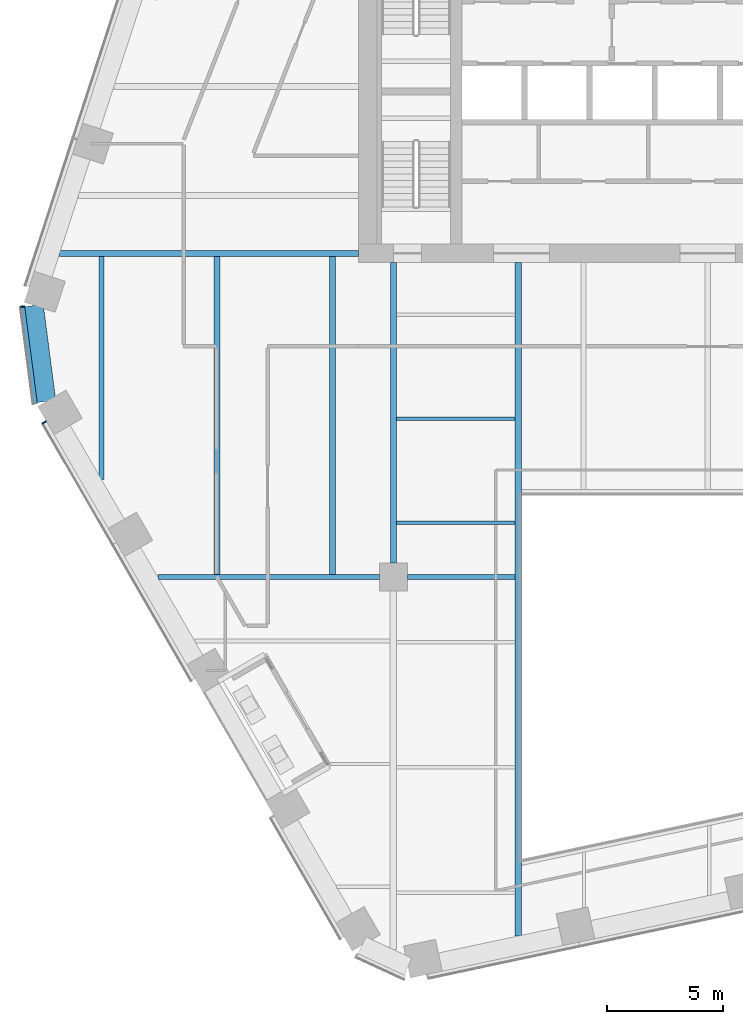
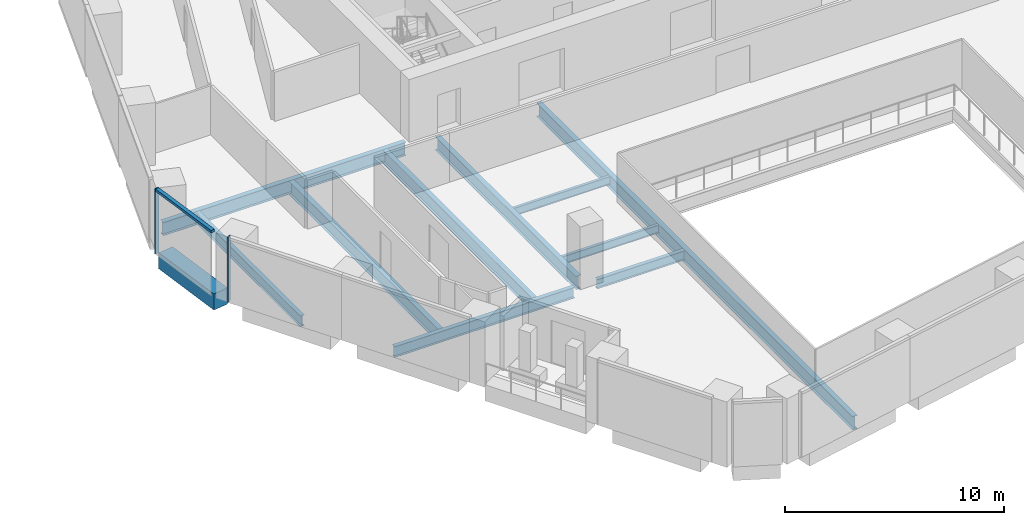
# One storey, part 4 of 26: 11 beams, 3 members, 2 elements without a shape of their own.
"""IFC4 building model written with IfcOpenShell, lengths in metres."""

from ifc_helpers import new_model, si_unit, direction, frame, origin, origin_2d, place, context, subcontext, project, spatial, rectangle, i_section, extrude, material, layer, layer_set, material_profile, profile_set, type_object, element, aggregate, save


model = new_model("IFC4")

# Units and contexts
model_context = context("Model", 3, precision=1e-05, world=origin(), true_north=direction((0.0, 1.0)))
body_context = subcontext(model_context, "Body", "Model", "MODEL_VIEW")
ifc_project = project(units=[si_unit("LENGTHUNIT", "METRE"), si_unit("AREAUNIT", "SQUARE_METRE"), si_unit("VOLUMEUNIT", "CUBIC_METRE"), si_unit("PLANEANGLEUNIT", "RADIAN"), si_unit("MASSUNIT", "GRAM", prefix="KILO")], contexts=[model_context])

# Site, building, storey
site_placement = place(None, origin())
site = spatial("IfcSite", under=ifc_project, at=site_placement, CompositionType="ELEMENT")
building_placement = place(site_placement, origin())
building = spatial("IfcBuilding", under=site, at=building_placement, Name="Isthmus Gate Tower", CompositionType="ELEMENT")
storey_placement = place(building_placement, frame((0.0, 0.0, 129.800048828125)))
storey = spatial("IfcBuildingStorey", under=building, at=storey_placement, Name="L31", CompositionType="ELEMENT", Elevation=129.800048828125)

# Curtain wall, member
ifc_material_1 = material(Name="Aluminium, pale champagne anodised", Category="aluminium")
ifc_layer = layer(ifc_material_1, 0.199951171875)
ifc_layer_set = layer_set([ifc_layer], Name="CW-1 UNITISED CURTAIN WALL 200 DEEP")
curtain_wall_type = type_object("IfcCurtainWallType", Name="CW-1 UNITISED CURTAIN WALL 200 DEEP", PredefinedType="NOTDEFINED", material=ifc_layer_set)
curtain_wall_1_placement = place(storey_placement, origin())
curtain_wall_1 = element("IfcCurtainWall", 1, at=curtain_wall_1_placement, inside=storey, type_object=curtain_wall_type, Name="CW-1 NW-SW L31", PredefinedType="NOTDEFINED")
ifc_material_2 = material(Name="Aluminium, pale champagne anodised", Category="aluminium")
ifc_material_profile_1 = material_profile(ifc_material_2, rectangle(XDim=0.06005859375, YDim=0.199951171875, at=origin_2d()), Name="60x200")
ifc_profile_set_1 = profile_set([ifc_material_profile_1], Name="Aluminium, pale champagne anodised")
member_type_1 = type_object("IfcMemberType", Name="CW-1 MULLION 60 X 200", PredefinedType="MULLION", material=ifc_profile_set_1)
member_1_placement = place(storey_placement, frame((-29.42724609375, -1.88525390625, 0.0), z_axis=(0.0, 0.0, 1.0), x_axis=(0.129164534, -0.991623175988, 0.0)))
member_1 = element("IfcMember", 2, at=member_1_placement, type_object=member_type_1, Name="CW-1 mullion", PredefinedType="MULLION", context=body_context, shape_type="SweptSolid", body=[
    extrude(rectangle(XDim=0.06005859375, YDim=0.199951171875, at=origin_2d()), origin(), (0.0, 0.0, 1.0), 3.64990234375),
])

curtain_wall_2_placement = place(storey_placement, origin())
curtain_wall_2 = element("IfcCurtainWall", 3, at=curtain_wall_2_placement, inside=storey, type_object=curtain_wall_type, Name="CW-1 SW L31", PredefinedType="NOTDEFINED")
member_2_placement = place(storey_placement, frame((-28.489501953125, -6.8544921875, 0.0), z_axis=(0.0, 0.0, 1.0), x_axis=(0.5, -0.866025403784, 0.0)))
member_2 = element("IfcMember", 4, at=member_2_placement, type_object=member_type_1, Name="CW-1 mullion", PredefinedType="MULLION", context=body_context, shape_type="SweptSolid", body=[
    extrude(rectangle(XDim=0.06005859375, YDim=0.199951171875, at=origin_2d()), origin(), (0.0, 0.0, 1.0), 3.64990234375),
])
aggregate(curtain_wall_2, [member_2])

# Member
ifc_material_3 = material(Name="Aluminium, pale champagne anodised", Category="aluminium")
ifc_material_profile_2 = material_profile(ifc_material_3, rectangle(XDim=0.199951171875, YDim=0.139892578125, at=origin_2d()), Name="200x140")
ifc_profile_set_2 = profile_set([ifc_material_profile_2], Name="Aluminium, pale champagne anodised")
member_type_2 = type_object("IfcMemberType", Name="CW-1 TRANSOM 200 X 140", PredefinedType="USERDEFINED", material=ifc_profile_set_2)
member_3_placement = place(storey_placement, frame((-29.42333984375, -1.9150390625, 3.579833984375), z_axis=(0.129149481977, -0.991625136483, 0.0), x_axis=(0.991625136483, 0.129149481977, 0.0)))
member_3 = element("IfcMember", 5, at=member_3_placement, type_object=member_type_2, Name="CW-1 transom", ObjectType="TRANSOM", PredefinedType="USERDEFINED", context=body_context, shape_type="SweptSolid", body=[
    extrude(rectangle(XDim=0.199951171875, YDim=0.139892578125, at=origin_2d()), origin(), (0.0, 0.0, 1.0), 4.181396484375),
])

aggregate(curtain_wall_1, [member_1, member_3])

# Beams
ifc_material_4 = material(Name="Concrete f'c 60 MPa", Category="concrete")
ifc_material_profile_3 = material_profile(ifc_material_4, rectangle(XDim=0.800048828125, YDim=0.89990234375, at=origin_2d()), Name="RC 800X900")
ifc_profile_set_3 = profile_set([ifc_material_profile_3], Name="Concrete f'c 60 MPa")
beam_type_1 = type_object("IfcBeamType", Name="RC SPANDREL 800 X 900", PredefinedType="SPANDREL", material=ifc_profile_set_3)
beam_1_placement = place(storey_placement, frame((-28.392822265625, -5.955810546875, -0.449951171875), z_axis=(-0.129170777359, 0.991622362735, 0.0), x_axis=(-0.991622362735, -0.129170777359, 0.0)))
element("IfcBeam", 6, at=beam_1_placement, inside=storey, type_object=beam_type_1, Name="str-spandrel-L31-20", PredefinedType="SPANDREL", context=body_context, shape_type="SweptSolid", body=[
    extrude(rectangle(XDim=0.800048828125, YDim=0.89990234375, at=origin_2d()), origin(), (0.0, 0.0, 1.0), 4.15234375),
])
ifc_material_5 = material(Name="Structural steel ASTM A992 Gr 50", Category="steel")
ifc_material_profile_4 = material_profile(ifc_material_5, i_section(OverallWidth=0.15234375, OverallDepth=0.45068359375, WebThickness=0.0078125, FlangeThickness=0.010986328125, at=origin_2d()), Name="W18X35")
ifc_profile_set_4 = profile_set([ifc_material_profile_4], Name="Structural steel ASTM A992 Gr 50")
beam_type_2 = type_object("IfcBeamType", Name="STEEL FLOOR BEAM W18X35", PredefinedType="JOIST", material=ifc_profile_set_4)
for number, where, z_axis, x_axis, name in (
    (7, (-13.3681640625, -11.16259765625, -0.37548828125), (1.0, 0.0, 0.0), (0.0, 1.0, 0.0), "str-beam-L31-06-00"),
    (8, (-13.3681640625, -6.697509765625, -0.37548828125), (1.0, 0.0, 0.0), (0.0, 1.0, 0.0), "str-beam-L31-06-01"),
):
    element("IfcBeam", number, at=place(storey_placement, frame(where, z_axis=z_axis, x_axis=x_axis)), inside=storey, type_object=beam_type_2, Name=name, PredefinedType="JOIST", context=body_context, shape_type="SweptSolid", body=[
        extrude(i_section(OverallWidth=0.15234375, OverallDepth=0.45068359375, WebThickness=0.0078125, FlangeThickness=0.010986328125, at=origin_2d()), origin(), (0.0, 0.0, 1.0), 5.1015625),
    ])
ifc_material_6 = material(Name="Structural steel ASTM A992 Gr 50", Category="steel")
ifc_material_profile_5 = material_profile(ifc_material_6, i_section(OverallWidth=0.228515625, OverallDepth=0.603271484375, WebThickness=0.010986328125, FlangeThickness=0.014404296875, at=origin_2d()), Name="W24X68")
ifc_profile_set_5 = profile_set([ifc_material_profile_5], Name="Structural steel ASTM A992 Gr 50")
beam_type_3 = type_object("IfcBeamType", Name="STEEL FLOOR BEAM W24X68", PredefinedType="JOIST", material=ifc_profile_set_5)
beam_2_placement = place(storey_placement, frame((-26.028564453125, -9.317138671875, -0.45166015625), z_axis=(0.0, 1.0, 0.0), x_axis=(-1.0, 0.0, 0.0)))
element("IfcBeam", 9, at=beam_2_placement, inside=storey, type_object=beam_type_3, Name="str-beam-L31-01-00", PredefinedType="JOIST", context=body_context, shape_type="SweptSolid", body=[
    extrude(i_section(OverallWidth=0.228515625, OverallDepth=0.603271484375, WebThickness=0.010986328125, FlangeThickness=0.014404296875, at=origin_2d()), origin(), (0.0, 0.0, 1.0), 9.58544921875),
])
ifc_material_7 = material(Name="Structural steel ASTM A992 Gr 50", Category="steel")
ifc_material_profile_6 = material_profile(ifc_material_7, i_section(OverallWidth=0.263427734375, OverallDepth=0.749267578125, WebThickness=0.0126953125, FlangeThickness=0.015869140625, at=origin_2d()), Name="W30X90")
ifc_profile_set_6 = profile_set([ifc_material_profile_6], Name="Structural steel ASTM A992 Gr 50")
beam_type_4 = type_object("IfcBeamType", Name="STEEL FLOOR BEAM W30X90", PredefinedType="JOIST", material=ifc_profile_set_6)
for number, where, z_axis, x_axis, name in (
    (10, (-21.06982421875, -13.3857421875, -0.524658203125), (0.0, 1.0, 0.0), (-1.0, 0.0, 0.0), "str-beam-L31-01-01"),
    (11, (-16.111083984375, -13.3857421875, -0.524658203125), (0.0, 1.0, 0.0), (-1.0, 0.0, 0.0), "str-beam-L31-01-02"),
):
    element("IfcBeam", number, at=place(storey_placement, frame(where, z_axis=z_axis, x_axis=x_axis)), inside=storey, type_object=beam_type_4, Name=name, PredefinedType="JOIST", context=body_context, shape_type="SweptSolid", body=[
        extrude(i_section(OverallWidth=0.263427734375, OverallDepth=0.749267578125, WebThickness=0.0126953125, FlangeThickness=0.015869140625, at=origin_2d()), origin(), (0.0, 0.0, 1.0), 13.654052734375),
    ])
ifc_material_8 = material(Name="Structural steel ASTM A992 Gr 50", Category="steel")
ifc_material_profile_7 = material_profile(ifc_material_8, i_section(OverallWidth=0.20947265625, OverallDepth=0.533447265625, WebThickness=0.009521484375, FlangeThickness=0.015869140625, at=origin_2d()), Name="W21X62")
ifc_profile_set_7 = profile_set([ifc_material_profile_7], Name="Structural steel ASTM A992 Gr 50")
beam_type_5 = type_object("IfcBeamType", Name="STEEL GIRDER W21X62", PredefinedType="BEAM", material=ifc_profile_set_7)
beam_3_placement = place(storey_placement, frame((-12.89990234375, -13.5, -0.416748046875), z_axis=(1.0, 0.0, 0.0), x_axis=(0.0, 1.0, 0.0)))
element("IfcBeam", 12, at=beam_3_placement, inside=storey, type_object=beam_type_5, Name="str-girder-L31-02", PredefinedType="BEAM", context=body_context, shape_type="SweptSolid", body=[
    extrude(i_section(OverallWidth=0.20947265625, OverallDepth=0.533447265625, WebThickness=0.009521484375, FlangeThickness=0.015869140625, at=origin_2d()), origin(), (0.0, 0.0, 1.0), 4.63330078125),
])
ifc_material_9 = material(Name="Structural steel ASTM A992 Gr 50", Category="steel")
ifc_material_profile_8 = material_profile(ifc_material_9, i_section(OverallWidth=0.228515625, OverallDepth=0.6064453125, WebThickness=0.010986328125, FlangeThickness=0.017578125, at=origin_2d()), Name="W24X76")
ifc_profile_set_8 = profile_set([ifc_material_profile_8], Name="Structural steel ASTM A992 Gr 50")
beam_type_6 = type_object("IfcBeamType", Name="STEEL GIRDER W24X76", PredefinedType="BEAM", material=ifc_profile_set_8)
beam_4_placement = place(storey_placement, frame((-23.613525390625, -13.5, -0.453369140625), z_axis=(1.0, 0.0, 0.0), x_axis=(0.0, 1.0, 0.0)))
element("IfcBeam", 13, at=beam_4_placement, inside=storey, type_object=beam_type_6, Name="str-girder-L31-01", PredefinedType="BEAM", context=body_context, shape_type="SweptSolid", body=[
    extrude(i_section(OverallWidth=0.228515625, OverallDepth=0.6064453125, WebThickness=0.010986328125, FlangeThickness=0.017578125, at=origin_2d()), origin(), (0.0, 0.0, 1.0), 9.513427734375),
])
ifc_material_10 = material(Name="Structural steel ASTM A992 Gr 50", Category="steel")
ifc_material_profile_9 = material_profile(ifc_material_10, i_section(OverallWidth=0.263427734375, OverallDepth=0.749267578125, WebThickness=0.0126953125, FlangeThickness=0.015869140625, at=origin_2d()), Name="W30X90")
ifc_profile_set_9 = profile_set([ifc_material_profile_9], Name="Structural steel ASTM A992 Gr 50")
beam_type_7 = type_object("IfcBeamType", Name="STEEL GIRDER W30X90", PredefinedType="BEAM", material=ifc_profile_set_9)
beam_5_placement = place(storey_placement, frame((-13.5, -12.89990234375, -0.524658203125), z_axis=(0.0, 1.0, 0.0), x_axis=(-1.0, 0.0, 0.0)))
element("IfcBeam", 14, at=beam_5_placement, inside=storey, type_object=beam_type_7, Name="str-girder-L31-07", PredefinedType="BEAM", context=body_context, shape_type="SweptSolid", body=[
    extrude(i_section(OverallWidth=0.263427734375, OverallDepth=0.749267578125, WebThickness=0.0126953125, FlangeThickness=0.015869140625, at=origin_2d()), origin(), (0.0, 0.0, 1.0), 12.89990234375),
])
beam_6_placement = place(storey_placement, frame((-15.0, 0.39990234375, -0.524658203125), z_axis=(-1.0, 0.0, 0.0), x_axis=(0.0, -1.0, 0.0)))
element("IfcBeam", 15, at=beam_6_placement, inside=storey, type_object=beam_type_7, Name="str-girder-L31-12", PredefinedType="BEAM", context=body_context, shape_type="SweptSolid", body=[
    extrude(i_section(OverallWidth=0.263427734375, OverallDepth=0.749267578125, WebThickness=0.0126953125, FlangeThickness=0.015869140625, at=origin_2d()), origin(), (0.0, 0.0, 1.0), 12.826416015625),
])
ifc_material_11 = material(Name="Structural steel ASTM A992 Gr 50", Category="steel")
ifc_material_profile_10 = material_profile(ifc_material_11, i_section(OverallWidth=0.2666015625, OverallDepth=0.7587890625, WebThickness=0.014404296875, FlangeThickness=0.01904296875, at=origin_2d()), Name="W30X108")
ifc_profile_set_10 = profile_set([ifc_material_profile_10], Name="Structural steel ASTM A992 Gr 50")
beam_type_8 = type_object("IfcBeamType", Name="STEEL TRIMMER W30X108", PredefinedType="BEAM", material=ifc_profile_set_10)
beam_7_placement = place(storey_placement, frame((-8.13330078125, 0.0, -0.529541015625), z_axis=(0.0, -1.0, 0.0), x_axis=(1.0, 0.0, 0.0)))
element("IfcBeam", 16, at=beam_7_placement, inside=storey, type_object=beam_type_8, Name="str-trimmer-L31-02", PredefinedType="BEAM", context=body_context, shape_type="SweptSolid", body=[
    extrude(i_section(OverallWidth=0.2666015625, OverallDepth=0.7587890625, WebThickness=0.014404296875, FlangeThickness=0.01904296875, at=origin_2d()), origin(), (0.0, 0.0, 1.0), 28.910888671875),
])

save(model, "model.ifc")
